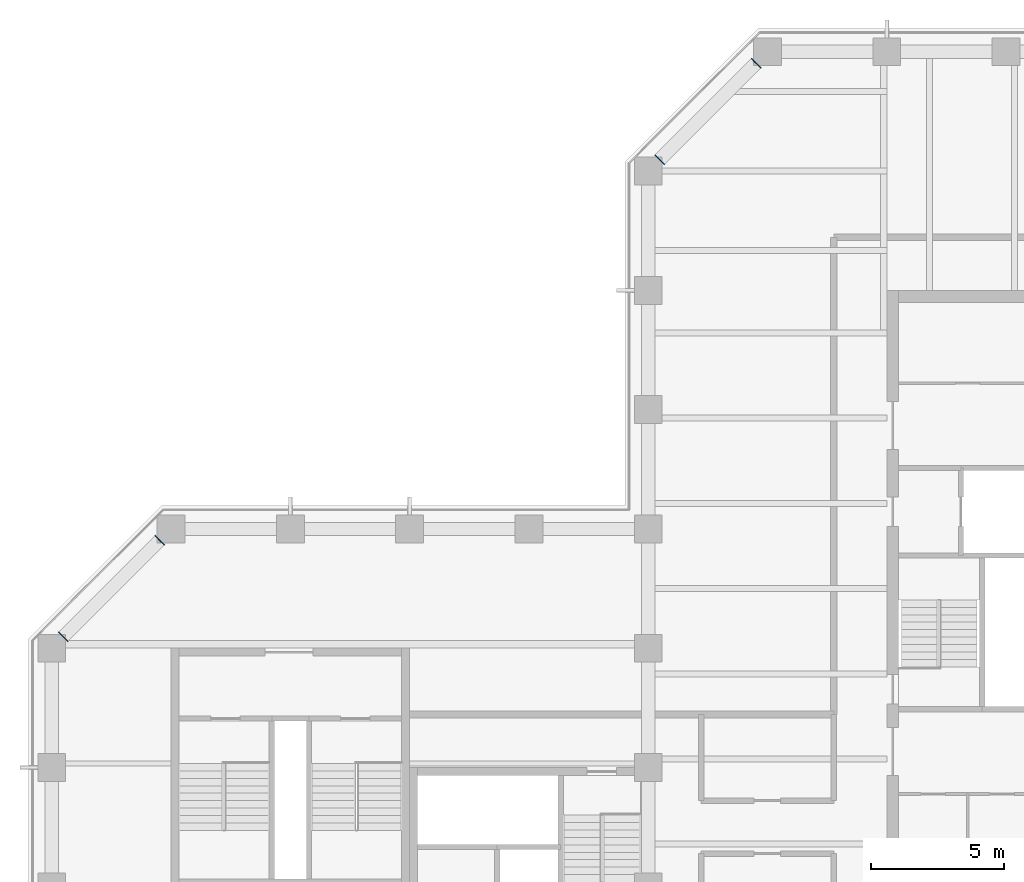
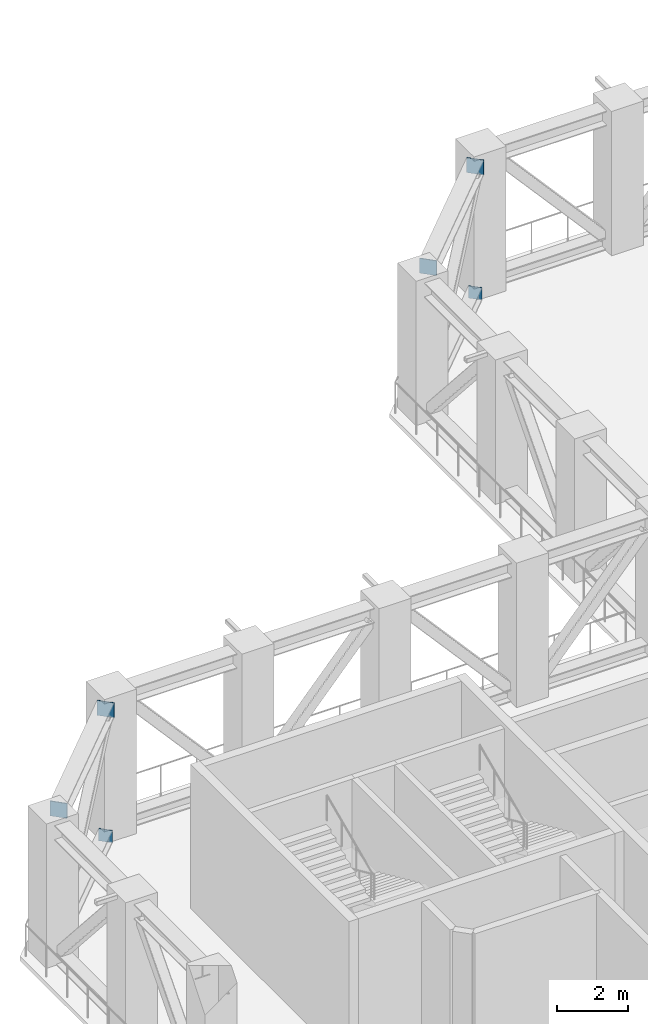
# One storey, part 11 of 14: 6 discrete accessories.
"""IFC4 building model written with IfcOpenShell, lengths in metres."""

from ifc_helpers import new_model, si_unit, direction, frame, origin, origin_2d, place, context, subcontext, project, spatial, rectangle, extrude, material, element, save


model = new_model("IFC4")

# Units and contexts
model_context = context("Model", 3, precision=1e-05, world=origin(), true_north=direction((0.0, 1.0)))
body_context = subcontext(model_context, "Body", "Model", "MODEL_VIEW")
ifc_project = project(units=[si_unit("LENGTHUNIT", "METRE"), si_unit("AREAUNIT", "SQUARE_METRE"), si_unit("VOLUMEUNIT", "CUBIC_METRE"), si_unit("PLANEANGLEUNIT", "RADIAN"), si_unit("MASSUNIT", "GRAM", prefix="KILO")], contexts=[model_context])

# Site, building, storey
site_placement = place(None, origin())
site = spatial("IfcSite", under=ifc_project, at=site_placement, CompositionType="ELEMENT")
building_placement = place(site_placement, origin())
building = spatial("IfcBuilding", under=site, at=building_placement, Name="Quoin Convention Tower", CompositionType="ELEMENT")
storey_placement = place(building_placement, frame((0.0, 0.0, 138.10009765625)))
storey = spatial("IfcBuildingStorey", under=building, at=storey_placement, Name="L36", CompositionType="ELEMENT", Elevation=138.10009765625)

# Discrete accessories
ifc_material = material(Name="Steel Grade 350", Category="steel")
discrete_accessory_1_placement = place(storey_placement, frame((40.070556640625, 80.570556640625, 0.0), z_axis=(0.0, 0.0, 1.0), x_axis=(0.707106781187, 0.707106781187, 0.0)))
element("IfcDiscreteAccessory", 1, at=discrete_accessory_1_placement, inside=storey, material=ifc_material, Name="TRUSS END PLATE TRS-L36-BC-40500_81000-36000_76500 A", ObjectType="Truss end plate", PredefinedType="USERDEFINED", context=body_context, shape_type="SweptSolid", body=[
    extrude(rectangle(XDim=0.030029296875, YDim=0.39990234375, at=origin_2d()), origin(), (0.0, 0.0, 1.0), 0.422119140625),
])
for number, where, z_axis, x_axis, name in (
    (2, (40.070556640625, 80.570556640625, 4.3359375), (0.0, 0.0, 1.0), (0.707106781187, 0.707106781187, 0.0), "TRUSS END PLATE TRS-L36-TC-40500_81000-36000_76500 A"),
    (3, (36.429443359375, 76.929443359375, 4.3359375), (0.0, 0.0, 1.0), (-0.707106781187, -0.707106781187, 0.0), "TRUSS END PLATE TRS-L36-TC-40500_81000-36000_76500 B"),
):
    element("IfcDiscreteAccessory", number, at=place(storey_placement, frame(where, z_axis=z_axis, x_axis=x_axis)), inside=storey, material=ifc_material, Name=name, ObjectType="Truss end plate", PredefinedType="USERDEFINED", context=body_context, shape_type="SweptSolid", body=[
        extrude(rectangle(XDim=0.030029296875, YDim=0.5, at=origin_2d()), origin(), (0.0, 0.0, 1.0), 0.513916015625),
    ])
discrete_accessory_2_placement = place(storey_placement, frame((17.570556640625, 62.570556640625, 0.0), z_axis=(0.0, 0.0, 1.0), x_axis=(0.707106781187, 0.707106781187, 0.0)))
element("IfcDiscreteAccessory", 4, at=discrete_accessory_2_placement, inside=storey, material=ifc_material, Name="TRUSS END PLATE TRS-L36-BC-18000_63000-13500_58500 A", ObjectType="Truss end plate", PredefinedType="USERDEFINED", context=body_context, shape_type="SweptSolid", body=[
    extrude(rectangle(XDim=0.030029296875, YDim=0.39990234375, at=origin_2d()), origin(), (0.0, 0.0, 1.0), 0.422119140625),
])
for number, where, z_axis, x_axis, name in (
    (5, (17.570556640625, 62.570556640625, 4.3359375), (0.0, 0.0, 1.0), (0.707106781187, 0.707106781187, 0.0), "TRUSS END PLATE TRS-L36-TC-18000_63000-13500_58500 A"),
    (6, (13.929443359375, 58.929443359375, 4.3359375), (0.0, 0.0, 1.0), (-0.707106781187, -0.707106781187, 0.0), "TRUSS END PLATE TRS-L36-TC-18000_63000-13500_58500 B"),
):
    element("IfcDiscreteAccessory", number, at=place(storey_placement, frame(where, z_axis=z_axis, x_axis=x_axis)), inside=storey, material=ifc_material, Name=name, ObjectType="Truss end plate", PredefinedType="USERDEFINED", context=body_context, shape_type="SweptSolid", body=[
        extrude(rectangle(XDim=0.030029296875, YDim=0.5, at=origin_2d()), origin(), (0.0, 0.0, 1.0), 0.513916015625),
    ])

save(model, "model.ifc")
